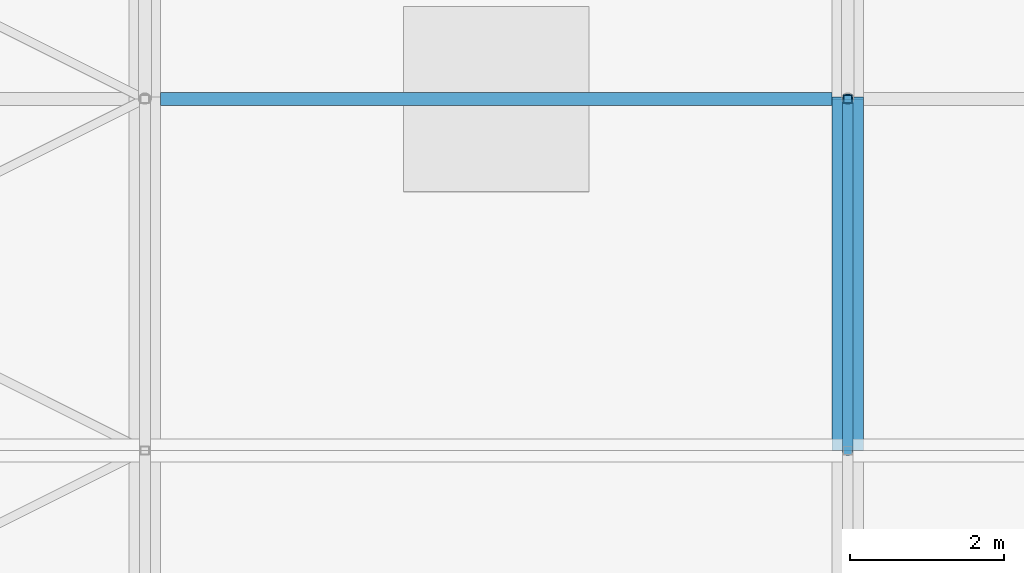
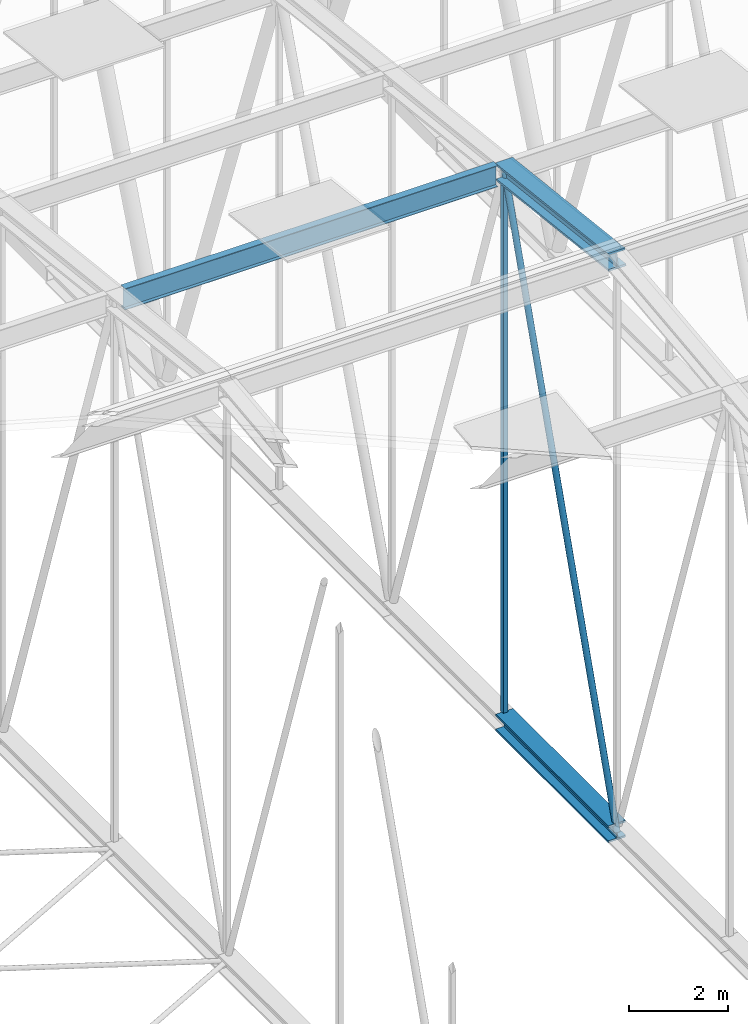
# One storey, part 254 of 500: 5 members.
"""IFC4 building model written with IfcOpenShell, lengths in metres."""

from ifc_helpers import new_model, si_unit, direction, frame, origin, origin_2d, place, context, subcontext, project, spatial, hollow_rectangle, hollow_circle, i_section, extrude, material, material_profile, profile_set, type_object, element, save


model = new_model("IFC4")

# Units and contexts
model_context = context("Model", 3, precision=1e-05, world=origin(), true_north=direction((0.0, 1.0)))
body_context = subcontext(model_context, "Body", "Model", "MODEL_VIEW")
ifc_project = project(units=[si_unit("LENGTHUNIT", "METRE"), si_unit("AREAUNIT", "SQUARE_METRE"), si_unit("VOLUMEUNIT", "CUBIC_METRE"), si_unit("PLANEANGLEUNIT", "RADIAN"), si_unit("MASSUNIT", "GRAM", prefix="KILO")], contexts=[model_context])

# Site, building, storey
site_placement = place(None, origin())
site = spatial("IfcSite", under=ifc_project, at=site_placement, CompositionType="ELEMENT")
building_placement = place(site_placement, origin())
building = spatial("IfcBuilding", under=site, at=building_placement, Name="Shirokan Park Arena", CompositionType="ELEMENT")
storey_placement = place(building_placement, frame((0.0, 0.0, 29.1201171875)))
storey = spatial("IfcBuildingStorey", under=building, at=storey_placement, Name="L06", CompositionType="ELEMENT", Elevation=29.1201171875)

# Members
ifc_material_1 = material(Name="Steel ASTM A992", Category="steel")
ifc_material_profile_1 = material_profile(ifc_material_1, i_section(OverallWidth=0.406005859375, OverallDepth=0.4169921875, WebThickness=0.030029296875, FlangeThickness=0.048095703125, at=origin_2d()), Name="W360X382")
ifc_profile_set_1 = profile_set([ifc_material_profile_1], Name="Steel ASTM A992")
member_type_1 = type_object("IfcMemberType", Name="Bottom chord W360X382", PredefinedType="CHORD", material=ifc_profile_set_1)
member_1_placement = place(storey_placement, frame((63.699951171875, 54.60009765625, 4.677001953125), z_axis=(0.0, 1.0, 0.0), x_axis=(-1.0, 0.0, 0.0)))
element("IfcMember", 1, at=member_1_placement, inside=storey, type_object=member_type_1, Name="Truss T08 bottom chord 15", PredefinedType="CHORD", context=body_context, shape_type="SweptSolid", body=[
    extrude(i_section(OverallWidth=0.406005859375, OverallDepth=0.4169921875, WebThickness=0.030029296875, FlangeThickness=0.048095703125, at=origin_2d()), origin(), (0.0, 0.0, 1.0), 4.5498046875),
])
ifc_material_profile_2 = material_profile(ifc_material_1, i_section(OverallWidth=0.166015625, OverallDepth=0.528076171875, WebThickness=0.009765625, FlangeThickness=0.013671875, at=origin_2d()), Name="W530X74")
ifc_profile_set_2 = profile_set([ifc_material_profile_2], Name="Steel ASTM A992")
member_type_2 = type_object("IfcMemberType", Name="Purlin W530X74", PredefinedType="PURLIN", material=ifc_profile_set_2)
member_2_placement = place(storey_placement, frame((54.802978515625, 59.14990234375, 18.205810546875), z_axis=(1.0, 0.0, 0.0), x_axis=(0.0, 1.0, 0.0)))
element("IfcMember", 2, at=member_2_placement, inside=storey, type_object=member_type_2, Name="Purlin 16 bay 7", PredefinedType="PURLIN", context=body_context, shape_type="SweptSolid", body=[
    extrude(i_section(OverallWidth=0.166015625, OverallDepth=0.528076171875, WebThickness=0.009765625, FlangeThickness=0.013671875, at=origin_2d()), origin(), (0.0, 0.0, 1.0), 8.694091796875),
])
ifc_material_profile_3 = material_profile(ifc_material_1, i_section(OverallWidth=0.406005859375, OverallDepth=0.4169921875, WebThickness=0.030029296875, FlangeThickness=0.048095703125, at=origin_2d()), Name="W360X382")
ifc_profile_set_3 = profile_set([ifc_material_profile_3], Name="Steel ASTM A992")
member_type_3 = type_object("IfcMemberType", Name="Top chord W360X382", PredefinedType="CHORD", material=ifc_profile_set_3)
member_3_placement = place(storey_placement, frame((63.699951171875, 54.60009765625, 18.781494140625), z_axis=(0.0, 0.993531641592, -0.11355561261), x_axis=(-1.0, 0.0, 0.0)))
element("IfcMember", 3, at=member_3_placement, inside=storey, type_object=member_type_3, Name="Truss T08 top chord 15", PredefinedType="CHORD", context=body_context, shape_type="SweptSolid", body=[
    extrude(i_section(OverallWidth=0.406005859375, OverallDepth=0.4169921875, WebThickness=0.030029296875, FlangeThickness=0.048095703125, at=origin_2d()), origin(), (0.0, 0.0, 1.0), 4.579345703125),
])
ifc_material_2 = material(Name="Steel ASTM A500 Grade C", Category="steel")
ifc_material_profile_4 = material_profile(ifc_material_2, hollow_circle(Radius=0.070556640625, WallThickness=0.006591796875, at=origin_2d()), Name="HSS141.3X6.6")
ifc_profile_set_4 = profile_set([ifc_material_profile_4], Name="Steel ASTM A500 Grade C")
member_type_4 = type_object("IfcMemberType", Name="Truss diagonal HSS141.3X6.6", PredefinedType="BRACE", material=ifc_profile_set_4)
member_4_placement = place(storey_placement, frame((63.699951171875, 54.60009765625, 4.677001953125), z_axis=(0.0, 0.317587361237, 0.948229016632), x_axis=(-1.0, 0.0, 0.0)))
element("IfcMember", 4, at=member_4_placement, inside=storey, type_object=member_type_4, Name="Truss T08 diagonal 15", PredefinedType="BRACE", context=body_context, shape_type="SweptSolid", body=[
    extrude(hollow_circle(Radius=0.070556640625, WallThickness=0.006591796875, at=origin_2d()), origin(), (0.0, 0.0, 1.0), 14.326171875),
])
ifc_material_profile_5 = material_profile(ifc_material_2, hollow_rectangle(XDim=0.114013671875, YDim=0.114013671875, WallThickness=0.00634765625, at=origin_2d()), Name="HSS114.3X114.3X6.4")
ifc_profile_set_5 = profile_set([ifc_material_profile_5], Name="Steel ASTM A500 Grade C")
member_type_5 = type_object("IfcMemberType", Name="Truss post HSS114.3X114.3X6.4", PredefinedType="POST", material=ifc_profile_set_5)
member_5_placement = place(storey_placement, frame((63.699951171875, 59.14990234375, 4.677001953125), z_axis=(0.0, 0.0, 1.0), x_axis=(1.0, 0.0, 0.0)))
element("IfcMember", 5, at=member_5_placement, inside=storey, type_object=member_type_5, Name="Truss T08 post 16", PredefinedType="POST", context=body_context, shape_type="SweptSolid", body=[
    extrude(hollow_rectangle(XDim=0.114013671875, YDim=0.114013671875, WallThickness=0.00634765625, at=origin_2d()), origin(), (0.0, 0.0, 1.0), 13.58447265625),
])

save(model, "model.ifc")
